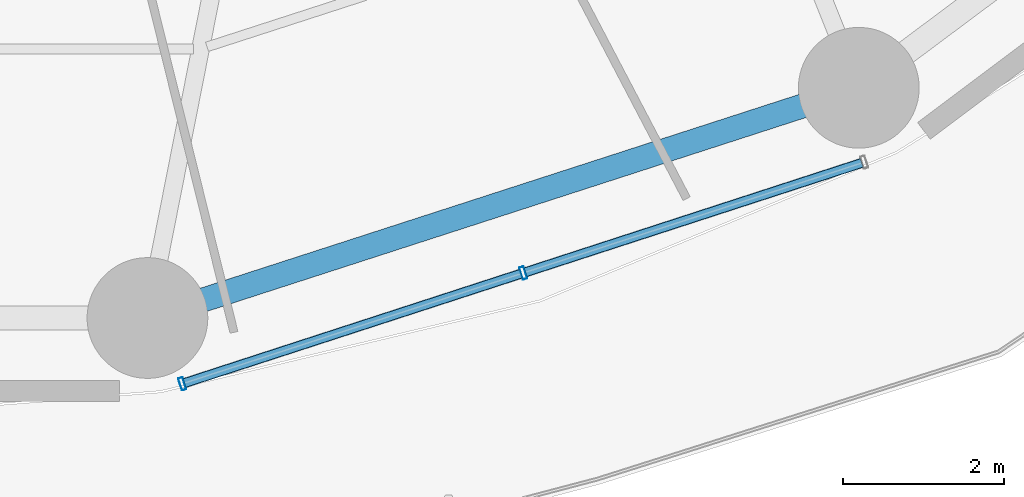
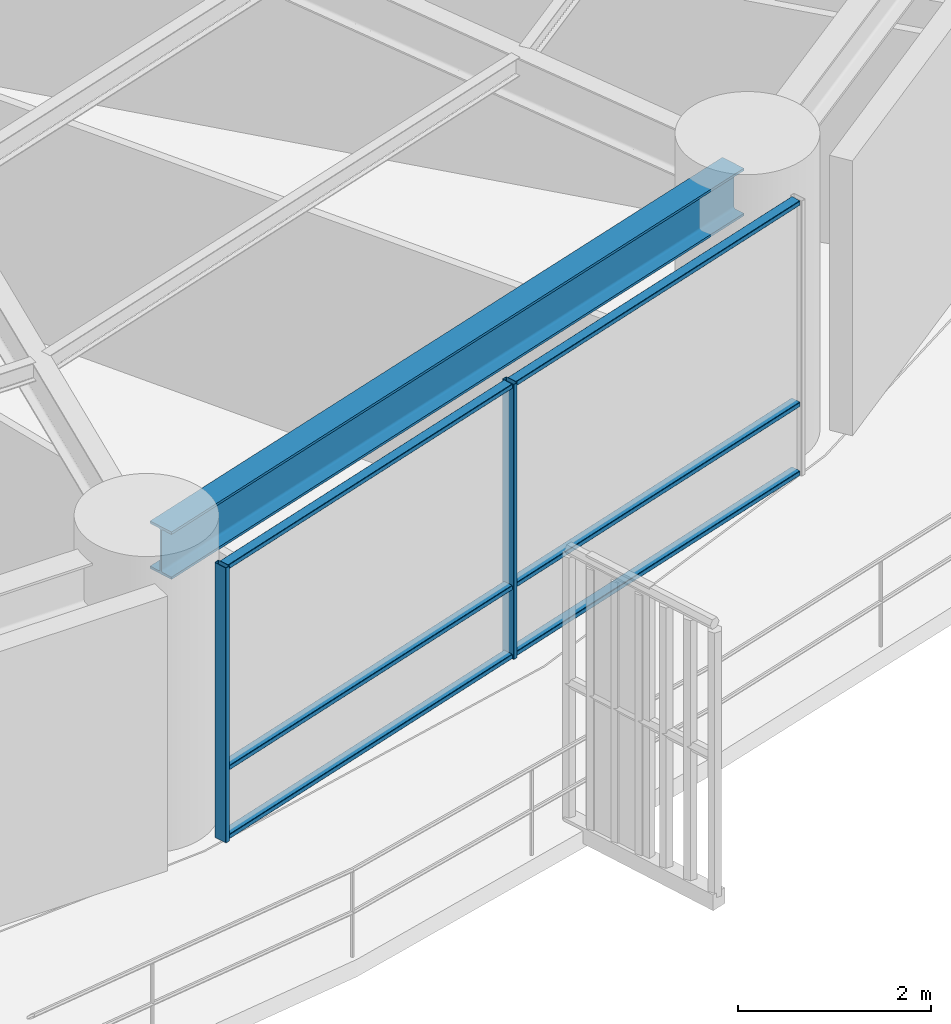
# One storey, part 7 of 35: 8 members, 1 beam, 1 element without a shape of its own.
"""IFC4 building model written with IfcOpenShell, lengths in metres."""

from ifc_helpers import new_model, si_unit, direction, frame, origin, origin_2d, place, context, subcontext, project, spatial, hollow_rectangle, i_section, extrude, material, layer, layer_set, material_profile, profile_set, type_object, element, aggregate, save


model = new_model("IFC4")

# Units and contexts
model_context = context("Model", 3, precision=1e-05, world=origin(), true_north=direction((0.0, 1.0)))
body_context = subcontext(model_context, "Body", "Model", "MODEL_VIEW")
ifc_project = project(units=[si_unit("LENGTHUNIT", "METRE"), si_unit("AREAUNIT", "SQUARE_METRE"), si_unit("VOLUMEUNIT", "CUBIC_METRE"), si_unit("PLANEANGLEUNIT", "RADIAN"), si_unit("MASSUNIT", "GRAM", prefix="KILO")], contexts=[model_context])

# Site, building, storey
site_placement = place(None, origin())
site = spatial("IfcSite", under=ifc_project, at=site_placement, CompositionType="ELEMENT")
building_placement = place(site_placement, origin())
building = spatial("IfcBuilding", under=site, at=building_placement, Name="Kelanora Arch Commons", CompositionType="ELEMENT")
storey_placement = place(building_placement, frame((0.0, 0.0, 22.5)))
storey = spatial("IfcBuildingStorey", under=building, at=storey_placement, Name="L05", CompositionType="ELEMENT", Elevation=22.5)

# Beam
ifc_material_1 = material(Name="Steel S355", Category="steel")
ifc_material_profile_1 = material_profile(ifc_material_1, i_section(OverallWidth=0.300048828125, OverallDepth=0.60009765625, WebThickness=0.015380859375, FlangeThickness=0.030029296875, FilletRadius=0.027099609375, at=origin_2d()), Name="HEB600")
ifc_profile_set_1 = profile_set([ifc_material_profile_1], Name="Steel S355")
beam_type = type_object("IfcBeamType", Name="BM-SPN-Z1", PredefinedType="SPANDREL", material=ifc_profile_set_1)
beam_placement = place(storey_placement, frame((78.91162109375, 34.353515625, 3.18994140625), z_axis=(0.951411479564, 0.307922387224, 0.0), x_axis=(-0.307922387224, 0.951411479564, 0.0)))
element("IfcBeam", 1, at=beam_placement, inside=storey, type_object=beam_type, Name="Perimeter Spandrel Beam BS-28 L05", PredefinedType="SPANDREL", context=body_context, shape_type="SweptSolid", body=[
    extrude(i_section(OverallWidth=0.300048828125, OverallDepth=0.60009765625, WebThickness=0.015380859375, FlangeThickness=0.030029296875, FilletRadius=0.027099609375, at=origin_2d()), origin(), (0.0, 0.0, 1.0), 8.84912109375),
])

# Curtain wall, members
ifc_material_2 = material(Name="Terracotta ceramic-fritted low-E glass and aluminium", Category="masonry")
ifc_layer = layer(ifc_material_2, 0.159912109375)
ifc_layer_set = layer_set([ifc_layer], Name="Terracotta ceramic-fritted low-E glass and aluminium")
curtain_wall_type = type_object("IfcCurtainWallType", Name="CW-SYS-01", PredefinedType="NOTDEFINED", material=ifc_layer_set)
curtain_wall_placement = place(storey_placement, origin())
curtain_wall = element("IfcCurtainWall", 2, at=curtain_wall_placement, inside=storey, type_object=curtain_wall_type, Name="Unitised Curtain Wall L05-B14", PredefinedType="NOTDEFINED")
ifc_material_3 = material(Name="Powder-coated aluminium terracotta", Category="masonry")
ifc_material_profile_2 = material_profile(ifc_material_3, hollow_rectangle(XDim=0.159912109375, YDim=0.06005859375, WallThickness=0.0048828125, InnerFilletRadius=0.0048828125, OuterFilletRadius=0.010009765625, at=origin_2d()), Name="CWM160x60")
ifc_profile_set_2 = profile_set([ifc_material_profile_2], Name="Powder-coated aluminium terracotta")
member_type_1 = type_object("IfcMemberType", Name="CWM-STD", PredefinedType="MULLION", material=ifc_profile_set_2)
member_1_placement = place(storey_placement, frame((79.134521484375, 33.46826171875, 0.0), z_axis=(0.0, 0.0, 1.0), x_axis=(-0.30905758454, 0.951043326793, 0.0)))
member_1 = element("IfcMember", 3, at=member_1_placement, type_object=member_type_1, Name="CW-01 mullion 1", PredefinedType="MULLION", context=body_context, shape_type="SweptSolid", body=[
    extrude(hollow_rectangle(XDim=0.159912109375, YDim=0.06005859375, WallThickness=0.0048828125, InnerFilletRadius=0.0048828125, OuterFilletRadius=0.010009765625, at=origin_2d()), origin(), (0.0, 0.0, 1.0), 3.47509765625),
])
member_2_placement = place(storey_placement, frame((83.37109375, 34.84521484375, 0.0), z_axis=(0.0, 0.0, 1.0), x_axis=(-0.30905758454, 0.951043326793, 0.0)))
member_2 = element("IfcMember", 4, at=member_2_placement, type_object=member_type_1, Name="CW-01 mullion 2", PredefinedType="MULLION", context=body_context, shape_type="SweptSolid", body=[
    extrude(hollow_rectangle(XDim=0.159912109375, YDim=0.06005859375, WallThickness=0.0048828125, InnerFilletRadius=0.0048828125, OuterFilletRadius=0.010009765625, at=origin_2d()), origin(), (0.0, 0.0, 1.0), 3.47509765625),
])
ifc_material_profile_3 = material_profile(ifc_material_3, hollow_rectangle(XDim=0.1201171875, YDim=0.06005859375, WallThickness=0.0048828125, InnerFilletRadius=0.0048828125, OuterFilletRadius=0.010009765625, at=origin_2d()), Name="CWT120x60")
ifc_profile_set_3 = profile_set([ifc_material_profile_3], Name="Powder-coated aluminium terracotta")
member_type_2 = type_object("IfcMemberType", Name="CWT-STD", PredefinedType="USERDEFINED", material=ifc_profile_set_3)
member_3_placement = place(storey_placement, frame((79.1630859375, 33.4775390625, 0.030029296875), z_axis=(0.951028761285, 0.309102402464, 0.0), x_axis=(-0.309102402464, 0.951028761285, 0.0)))
member_3 = element("IfcMember", 5, at=member_3_placement, type_object=member_type_2, Name="CW-01 transom 1.1", ObjectType="TRANSOM", PredefinedType="USERDEFINED", context=body_context, shape_type="SweptSolid", body=[
    extrude(hollow_rectangle(XDim=0.1201171875, YDim=0.06005859375, WallThickness=0.0048828125, InnerFilletRadius=0.0048828125, OuterFilletRadius=0.010009765625, at=origin_2d()), origin(), (0.0, 0.0, 1.0), 4.394775390625),
])
member_4_placement = place(storey_placement, frame((79.1630859375, 33.4775390625, 0.89990234375), z_axis=(0.951028761285, 0.309102402464, 0.0), x_axis=(-0.309102402464, 0.951028761285, 0.0)))
member_4 = element("IfcMember", 6, at=member_4_placement, type_object=member_type_2, Name="CW-01 transom 1.2", ObjectType="TRANSOM", PredefinedType="USERDEFINED", context=body_context, shape_type="SweptSolid", body=[
    extrude(hollow_rectangle(XDim=0.1201171875, YDim=0.06005859375, WallThickness=0.0048828125, InnerFilletRadius=0.0048828125, OuterFilletRadius=0.010009765625, at=origin_2d()), origin(), (0.0, 0.0, 1.0), 4.394775390625),
])
member_5_placement = place(storey_placement, frame((79.1630859375, 33.4775390625, 3.445068359375), z_axis=(0.951028761285, 0.309102402464, 0.0), x_axis=(-0.309102402464, 0.951028761285, 0.0)))
member_5 = element("IfcMember", 7, at=member_5_placement, type_object=member_type_2, Name="CW-01 transom 1.3", ObjectType="TRANSOM", PredefinedType="USERDEFINED", context=body_context, shape_type="SweptSolid", body=[
    extrude(hollow_rectangle(XDim=0.1201171875, YDim=0.06005859375, WallThickness=0.0048828125, InnerFilletRadius=0.0048828125, OuterFilletRadius=0.010009765625, at=origin_2d()), origin(), (0.0, 0.0, 1.0), 4.394775390625),
])
member_6_placement = place(storey_placement, frame((83.399658203125, 34.8544921875, 0.030029296875), z_axis=(0.951045091182, 0.309052155047, 0.0), x_axis=(-0.309052155047, 0.951045091182, 0.0)))
member_6 = element("IfcMember", 8, at=member_6_placement, type_object=member_type_2, Name="CW-01 transom 2.1", ObjectType="TRANSOM", PredefinedType="USERDEFINED", context=body_context, shape_type="SweptSolid", body=[
    extrude(hollow_rectangle(XDim=0.1201171875, YDim=0.06005859375, WallThickness=0.0048828125, InnerFilletRadius=0.0048828125, OuterFilletRadius=0.010009765625, at=origin_2d()), origin(), (0.0, 0.0, 1.0), 4.39453125),
])
member_7_placement = place(storey_placement, frame((83.399658203125, 34.8544921875, 0.89990234375), z_axis=(0.951045091182, 0.309052155047, 0.0), x_axis=(-0.309052155047, 0.951045091182, 0.0)))
member_7 = element("IfcMember", 9, at=member_7_placement, type_object=member_type_2, Name="CW-01 transom 2.2", ObjectType="TRANSOM", PredefinedType="USERDEFINED", context=body_context, shape_type="SweptSolid", body=[
    extrude(hollow_rectangle(XDim=0.1201171875, YDim=0.06005859375, WallThickness=0.0048828125, InnerFilletRadius=0.0048828125, OuterFilletRadius=0.010009765625, at=origin_2d()), origin(), (0.0, 0.0, 1.0), 4.39453125),
])
member_8_placement = place(storey_placement, frame((83.399658203125, 34.8544921875, 3.445068359375), z_axis=(0.951045091182, 0.309052155047, 0.0), x_axis=(-0.309052155047, 0.951045091182, 0.0)))
member_8 = element("IfcMember", 10, at=member_8_placement, type_object=member_type_2, Name="CW-01 transom 2.3", ObjectType="TRANSOM", PredefinedType="USERDEFINED", context=body_context, shape_type="SweptSolid", body=[
    extrude(hollow_rectangle(XDim=0.1201171875, YDim=0.06005859375, WallThickness=0.0048828125, InnerFilletRadius=0.0048828125, OuterFilletRadius=0.010009765625, at=origin_2d()), origin(), (0.0, 0.0, 1.0), 4.39453125),
])
aggregate(curtain_wall, [member_1, member_2, member_3, member_4, member_5, member_6, member_7, member_8])

save(model, "model.ifc")
